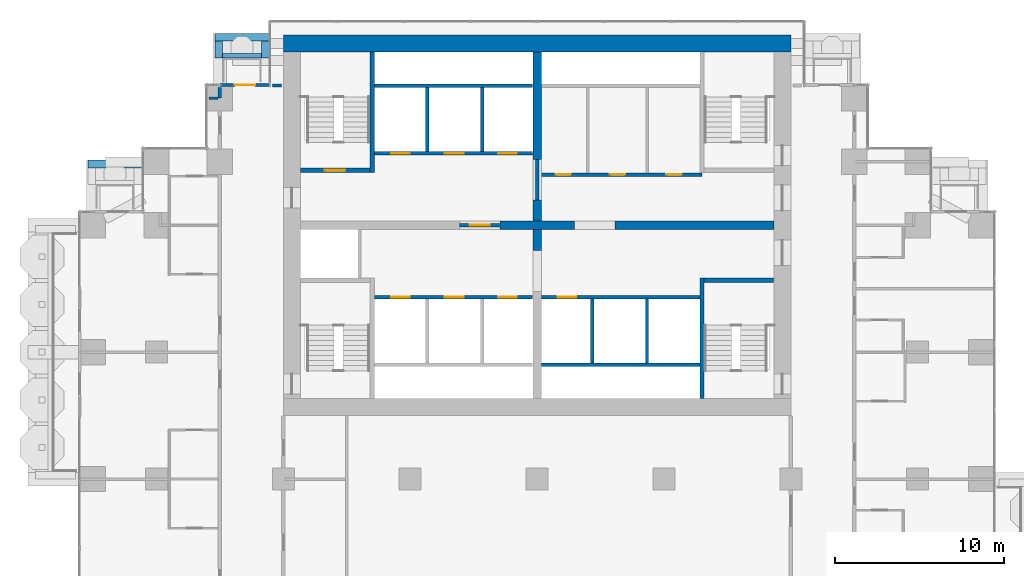
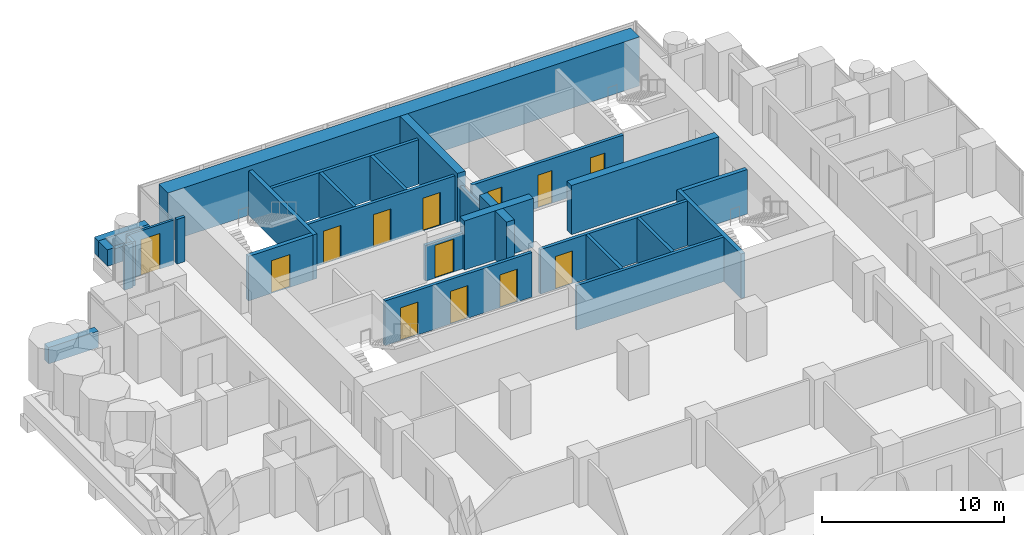
# One storey, part 13 of 18: 31 walls, 13 doors, 13 openings.
"""IFC4 building model written with IfcOpenShell, lengths in metres."""

from ifc_helpers import new_model, si_unit, direction, frame, frame_2d, origin, place, context, subcontext, project, spatial, rectangle, extrude, material, layer, layer_set, type_object, element, fill, save


model = new_model("IFC4")

# Units and contexts
model_context = context("Model", 3, precision=1e-05, world=origin(), true_north=direction((0.0, 1.0)))
body_context = subcontext(model_context, "Body", "Model", "MODEL_VIEW")
ifc_project = project(units=[si_unit("LENGTHUNIT", "METRE"), si_unit("AREAUNIT", "SQUARE_METRE"), si_unit("VOLUMEUNIT", "CUBIC_METRE"), si_unit("PLANEANGLEUNIT", "RADIAN"), si_unit("MASSUNIT", "GRAM", prefix="KILO")], contexts=[model_context])

# Site, building, storey
site_placement = place(None, origin())
site = spatial("IfcSite", under=ifc_project, at=site_placement, CompositionType="ELEMENT")
building_placement = place(site_placement, origin())
building = spatial("IfcBuilding", under=site, at=building_placement, Name="Pilkhan Gate Tower", CompositionType="ELEMENT")
storey_placement = place(building_placement, frame((0.0, 0.0, 56.0)))
storey = spatial("IfcBuildingStorey", under=building, at=storey_placement, Name="L11", CompositionType="ELEMENT", Elevation=56.0)

# Walls
ifc_material_1 = material(Name="Concrete C40/50", Category="concrete")
ifc_layer_1 = layer(ifc_material_1, 0.25)
ifc_layer_set_1 = layer_set([ifc_layer_1], Name="Balcony planter BP250")
wall_type_1 = type_object("IfcWallType", Name="Balcony planter BP250", PredefinedType="USERDEFINED", material=ifc_layer_set_1)
wall_1_placement = place(storey_placement, frame((56.39990234375, 92.52490234375, 0.0), z_axis=(0.0, 0.0, 1.0), x_axis=(1.0, 0.0, 0.0)))
element("IfcWall", 1, at=wall_1_placement, inside=storey, type_object=wall_type_1, Name="Balcony planter L11 N", ObjectType="BALCONY PLANTER", PredefinedType="USERDEFINED", context=body_context, shape_type="SweptSolid", body=[
    extrude(rectangle(XDim=2.300048828125, YDim=0.25, at=frame_2d((1.14990234375, 0.0))), origin(), (0.0, 0.0, 1.0), 1.0),
])
ifc_material_2 = material(Name="Board-marked Concrete C40/50", Category="concrete")
ifc_layer_2 = layer(ifc_material_2, 0.449951171875)
ifc_layer_set_2 = layer_set([ifc_layer_2], Name="Balcony planter lip BL450")
wall_type_2 = type_object("IfcWallType", Name="Balcony planter lip BL450", PredefinedType="USERDEFINED", material=ifc_layer_set_2)
wall_2_placement = place(storey_placement, frame((55.949951171875, 93.625, 0.0), z_axis=(0.0, 0.0, 1.0), x_axis=(1.0, 0.0, 0.0)))
element("IfcWall", 2, at=wall_2_placement, inside=storey, type_object=wall_type_2, Name="Balcony planter L11 N", ObjectType="BALCONY PLANTER", PredefinedType="USERDEFINED", context=body_context, shape_type="SweptSolid", body=[
    extrude(rectangle(XDim=3.199951171875, YDim=0.449951171875, at=frame_2d((1.60009765625, 0.0))), origin(), (0.0, 0.0, 1.0), 1.10009765625),
])
for number, where, z_axis, x_axis, name in (
    (3, (56.175048828125, 92.39990234375, 0.0), (0.0, 0.0, 1.0), (0.0, 1.0, 0.0), "Balcony planter L11 N"),
    (4, (58.925048828125, 92.39990234375, 0.0), (0.0, 0.0, 1.0), (0.0, 1.0, 0.0), "Balcony planter L11 N"),
):
    element("IfcWall", number, at=place(storey_placement, frame(where, z_axis=z_axis, x_axis=x_axis)), inside=storey, type_object=wall_type_2, Name=name, ObjectType="BALCONY PLANTER", PredefinedType="USERDEFINED", context=body_context, shape_type="SweptSolid", body=[
        extrude(rectangle(XDim=1.0, YDim=0.449951171875, at=frame_2d((0.5, 0.0))), origin(), (0.0, 0.0, 1.0), 1.10009765625),
    ])
wall_3_placement = place(storey_placement, frame((48.449951171875, 86.125, 0.0), z_axis=(0.0, 0.0, 1.0), x_axis=(1.0, 0.0, 0.0)))
element("IfcWall", 5, at=wall_3_placement, inside=storey, type_object=wall_type_2, Name="Balcony planter L11 N", ObjectType="BALCONY PLANTER", PredefinedType="USERDEFINED", context=body_context, shape_type="SweptSolid", body=[
    extrude(rectangle(XDim=3.179931640625, YDim=0.449951171875, at=frame_2d((1.58984375, 0.0))), origin(), (0.0, 0.0, 1.0), 1.10009765625),
])
ifc_material_3 = material(Name="Concrete C70/85", Category="concrete")
ifc_layer_3 = layer(ifc_material_3, 1.0)
ifc_layer_set_3 = layer_set([ifc_layer_3], Name="Core wall CW1000 C70/85")
wall_type_3 = type_object("IfcWallType", Name="Core wall CW1000 C70/85", PredefinedType="SHEAR", material=ifc_layer_set_3)
wall_4_placement = place(storey_placement, frame((90.0, 93.25, 0.0), z_axis=(0.0, 0.0, 1.0), x_axis=(-1.0, 0.0, 0.0)))
element("IfcWall", 6, at=wall_4_placement, inside=storey, type_object=wall_type_3, Name="Core wall N L11", PredefinedType="SHEAR", context=body_context, shape_type="SweptSolid", body=[
    extrude(rectangle(XDim=30.0, YDim=1.0, at=frame_2d((15.0, 0.0))), origin(), (0.0, 0.0, 1.0), 3.300048828125),
])
ifc_material_4 = material(Name="Dense blockwork", Category="masonry")
ifc_layer_4 = layer(ifc_material_4, 0.199951171875)
ifc_layer_set_4 = layer_set([ifc_layer_4], Name="Corridor wall FW200")
wall_type_4 = type_object("IfcWallType", Name="Corridor wall FW200", PredefinedType="PARTITIONING", material=ifc_layer_set_4)
wall_5_placement = place(storey_placement, frame((59.35498046875, 90.764892578125, 0.0), z_axis=(0.0, 0.0, 1.0), x_axis=(1.0, 0.0, 0.0)))
element("IfcWall", 7, at=wall_5_placement, inside=storey, type_object=wall_type_4, Name="Partition L11", PredefinedType="PARTITIONING", context=body_context, shape_type="SweptSolid", body=[
    extrude(rectangle(XDim=0.52490234375, YDim=0.199951171875, at=frame_2d((0.262451171875, 0.0))), origin(), (0.0, 0.0, 1.0), 3.0),
])
wall_6_placement = place(storey_placement, frame((56.25, 90.030029296875, 0.0), z_axis=(0.0, 0.0, 1.0), x_axis=(0.0, 1.0, 0.0)))
element("IfcWall", 8, at=wall_6_placement, inside=storey, type_object=wall_type_4, Name="Partition L11", PredefinedType="PARTITIONING", context=body_context, shape_type="SweptSolid", body=[
    extrude(rectangle(XDim=0.614990234375, YDim=0.199951171875, at=frame_2d((0.3076171875, 0.0))), origin(), (0.0, 0.0, 1.0), 3.0),
])

# Wall, opening, door
ifc_material_5 = material(Name="Pale anodised aluminium, clear laminated glazing", Category="aluminium")
ifc_layer_5 = layer(ifc_material_5, 0.14990234375)
ifc_layer_set_5 = layer_set([ifc_layer_5], Name="Facade infill wall IW150")
wall_type_5 = type_object("IfcWallType", Name="Facade infill wall IW150", PredefinedType="SOLIDWALL", material=ifc_layer_set_5)
wall_7_placement = place(storey_placement, frame((56.25, 90.794921875, 0.0), z_axis=(0.0, 0.0, 1.0), x_axis=(1.0, 0.0, 0.0)))
wall_7 = element("IfcWall", 9, at=wall_7_placement, inside=storey, type_object=wall_type_5, Name="Infill wall L11 N", PredefinedType="SOLIDWALL", context=body_context, shape_type="SweptSolid", body=[
    extrude(rectangle(XDim=2.955078125, YDim=0.14990234375, at=frame_2d((1.4775390625, 0.0))), origin(), (0.0, 0.0, 1.0), 3.0),
])
opening_1_placement = place(wall_7_placement, frame((0.87744140625, 0.0, 0.0)))
opening_1 = element("IfcOpeningElement", 10, at=opening_1_placement, cuts=wall_7, Name="Opening D1", PredefinedType="OPENING", context=body_context, shape_type="SweptSolid", body=[
    extrude(rectangle(XDim=1.199951171875, YDim=2.39990234375, at=frame_2d((0.60009765625, 1.199951171875))), frame((0.0, 0.0849609375, 0.0), z_axis=(0.0, -1.0, 0.0), x_axis=(1.0, 0.0, 0.0)), (0.0, 0.0, 1.0), 0.169921875),
])
ifc_material_6 = material(Name="Pale anodised aluminium, clear glazing", Category="aluminium")
door_type_1 = type_object("IfcDoorType", Name="Balcony door D1 1200x2400", OperationType="SINGLE_SWING_LEFT", PredefinedType="DOOR", material=ifc_material_6)
door_1_placement = place(opening_1_placement, origin())
door_1 = element("IfcDoor", 11, at=door_1_placement, inside=storey, type_object=door_type_1, Name="Balcony door L11", OperationType="SINGLE_SWING_LEFT", OverallHeight=2.39990234375, OverallWidth=1.199951171875, PredefinedType="DOOR", context=body_context, shape_type="SweptSolid", body=[
    extrude(rectangle(XDim=1.199951171875, YDim=2.39990234375, at=frame_2d((0.60009765625, 1.199951171875))), frame((0.0, 0.02490234375, 0.0), z_axis=(0.0, -1.0, 0.0), x_axis=(1.0, 0.0, 0.0)), (0.0, 0.0, 1.0), 0.050048828125),
])
fill(opening_1, door_1)

ifc_layer_6 = layer(ifc_material_4, 0.199951171875)
ifc_layer_set_6 = layer_set([ifc_layer_6], Name="Lobby wall LW200")
wall_type_6 = type_object("IfcWallType", Name="Lobby wall LW200", PredefinedType="PARTITIONING", material=ifc_layer_set_6)
wall_8_placement = place(storey_placement, frame((70.409912109375, 82.5, 0.0), z_axis=(0.0, 0.0, 1.0), x_axis=(1.0, 0.0, 0.0)))
wall_8 = element("IfcWall", 12, at=wall_8_placement, inside=storey, type_object=wall_type_6, Name="Partition L11", PredefinedType="PARTITIONING", context=body_context, shape_type="SweptSolid", body=[
    extrude(rectangle(XDim=2.380126953125, YDim=0.199951171875, at=frame_2d((1.18994140625, 0.0))), origin(), (0.0, 0.0, 1.0), 2.39990234375),
])
opening_2_placement = place(wall_8_placement, frame((0.60009765625, 0.0, 0.0)))
opening_2 = element("IfcOpeningElement", 13, at=opening_2_placement, cuts=wall_8, Name="Opening L11-01", PredefinedType="OPENING", context=body_context, shape_type="SweptSolid", body=[
    extrude(rectangle(XDim=1.199951171875, YDim=2.199951171875, at=frame_2d((0.60009765625, 1.10009765625))), frame((0.0, 0.10986328125, 0.0), z_axis=(0.0, -1.0, 0.0), x_axis=(1.0, 0.0, 0.0)), (0.0, 0.0, 1.0), 0.219970703125),
])
ifc_material_7 = material(Name="Steel door, 120 minute fire resisting, self-closing", Category="steel")
door_type_2 = type_object("IfcDoorType", Name="Firefighting lobby door D10 1200x2200", OperationType="SINGLE_SWING_LEFT", PredefinedType="DOOR", material=ifc_material_7)
door_2_placement = place(opening_2_placement, origin())
door_2 = element("IfcDoor", 14, at=door_2_placement, inside=storey, type_object=door_type_2, Name="Firefighting lobby door", OperationType="SINGLE_SWING_RIGHT", OverallHeight=2.199951171875, OverallWidth=1.199951171875, PredefinedType="DOOR", context=body_context, shape_type="SweptSolid", body=[
    extrude(rectangle(XDim=1.199951171875, YDim=2.199951171875, at=frame_2d((0.60009765625, 1.10009765625))), frame((0.0, 0.02490234375, 0.0), z_axis=(0.0, -1.0, 0.0), x_axis=(1.0, 0.0, 0.0)), (0.0, 0.0, 1.0), 0.050048828125),
])
fill(opening_2, door_2)

# Wall, openings, doors
wall_9_placement = place(storey_placement, frame((75.10009765625, 85.5, 0.0), z_axis=(0.0, 0.0, 1.0), x_axis=(1.0, 0.0, 0.0)))
wall_9 = element("IfcWall", 15, at=wall_9_placement, inside=storey, type_object=wall_type_6, Name="Partition L11", PredefinedType="PARTITIONING", context=body_context, shape_type="SweptSolid", body=[
    extrude(rectangle(XDim=9.64990234375, YDim=0.199951171875, at=frame_2d((4.824951171875, 0.0))), origin(), (0.0, 0.0, 1.0), 3.0),
])
opening_3_placement = place(wall_9_placement, frame((1.0, 0.0, 0.0)))
opening_3 = element("IfcOpeningElement", 16, at=opening_3_placement, cuts=wall_9, Name="Opening L11-41", PredefinedType="OPENING", context=body_context, shape_type="SweptSolid", body=[
    extrude(rectangle(XDim=0.89990234375, YDim=2.199951171875, at=frame_2d((0.449951171875, 1.10009765625))), frame((0.0, 0.10986328125, 0.0), z_axis=(0.0, -1.0, 0.0), x_axis=(1.0, 0.0, 0.0)), (0.0, 0.0, 1.0), 0.219970703125),
])
opening_4_placement = place(wall_9_placement, frame((4.199951171875, 0.0, 0.0)))
opening_4 = element("IfcOpeningElement", 17, at=opening_4_placement, cuts=wall_9, Name="Opening L11-42", PredefinedType="OPENING", context=body_context, shape_type="SweptSolid", body=[
    extrude(rectangle(XDim=0.89990234375, YDim=2.199951171875, at=frame_2d((0.449951171875, 1.10009765625))), frame((0.0, 0.10986328125, 0.0), z_axis=(0.0, -1.0, 0.0), x_axis=(1.0, 0.0, 0.0)), (0.0, 0.0, 1.0), 0.219970703125),
])
opening_5_placement = place(wall_9_placement, frame((7.550048828125, 0.0, 0.0)))
opening_5 = element("IfcOpeningElement", 18, at=opening_5_placement, cuts=wall_9, Name="Opening L11-43", PredefinedType="OPENING", context=body_context, shape_type="SweptSolid", body=[
    extrude(rectangle(XDim=0.89990234375, YDim=2.199951171875, at=frame_2d((0.449951171875, 1.10009765625))), frame((0.0, 0.10986328125, 0.0), z_axis=(0.0, -1.0, 0.0), x_axis=(1.0, 0.0, 0.0)), (0.0, 0.0, 1.0), 0.219970703125),
])
ifc_material_8 = material(Name="Timber flush door, 60 minute fire resisting, self-closing", Category="wood")
door_type_3 = type_object("IfcDoorType", Name="Store door D05 900x2200", OperationType="SINGLE_SWING_LEFT", PredefinedType="DOOR", material=ifc_material_8)
door_3_placement = place(opening_4_placement, origin())
door_3 = element("IfcDoor", 19, at=door_3_placement, inside=storey, type_object=door_type_3, Name="Store door", OperationType="SINGLE_SWING_LEFT", OverallHeight=2.199951171875, OverallWidth=0.89990234375, PredefinedType="DOOR", context=body_context, shape_type="SweptSolid", body=[
    extrude(rectangle(XDim=0.89990234375, YDim=2.199951171875, at=frame_2d((0.449951171875, 1.10009765625))), frame((0.0, 0.02490234375, 0.0), z_axis=(0.0, -1.0, 0.0), x_axis=(1.0, 0.0, 0.0)), (0.0, 0.0, 1.0), 0.050048828125),
])
fill(opening_4, door_3)
door_4_placement = place(opening_5_placement, origin())
door_4 = element("IfcDoor", 20, at=door_4_placement, inside=storey, type_object=door_type_3, Name="Store door", OperationType="SINGLE_SWING_RIGHT", OverallHeight=2.199951171875, OverallWidth=0.89990234375, PredefinedType="DOOR", context=body_context, shape_type="SweptSolid", body=[
    extrude(rectangle(XDim=0.89990234375, YDim=2.199951171875, at=frame_2d((0.449951171875, 1.10009765625))), frame((0.0, 0.02490234375, 0.0), z_axis=(0.0, -1.0, 0.0), x_axis=(1.0, 0.0, 0.0)), (0.0, 0.0, 1.0), 0.050048828125),
])
fill(opening_5, door_4)
ifc_material_9 = material(Name="Timber flush door, 30 minute fire resisting", Category="wood")
door_type_4 = type_object("IfcDoorType", Name="Toilet door D06 900x2200", OperationType="SINGLE_SWING_LEFT", PredefinedType="DOOR", material=ifc_material_9)
door_5_placement = place(opening_3_placement, origin())
door_5 = element("IfcDoor", 21, at=door_5_placement, inside=storey, type_object=door_type_4, Name="Toilet door", OperationType="SINGLE_SWING_LEFT", OverallHeight=2.199951171875, OverallWidth=0.89990234375, PredefinedType="DOOR", context=body_context, shape_type="SweptSolid", body=[
    extrude(rectangle(XDim=0.89990234375, YDim=2.199951171875, at=frame_2d((0.449951171875, 1.10009765625))), frame((0.0, 0.02490234375, 0.0), z_axis=(0.0, -1.0, 0.0), x_axis=(1.0, 0.0, 0.0)), (0.0, 0.0, 1.0), 0.050048828125),
])
fill(opening_3, door_5)

# Walls
wall_10_placement = place(storey_placement, frame((75.0, 84.010009765625, 0.0), z_axis=(0.0, 0.0, 1.0), x_axis=(0.0, 1.0, 0.0)))
element("IfcWall", 22, at=wall_10_placement, inside=storey, type_object=wall_type_6, Name="Partition L11", PredefinedType="PARTITIONING", context=body_context, shape_type="SweptSolid", body=[
    extrude(rectangle(XDim=2.3798828125, YDim=0.199951171875, at=frame_2d((1.18994140625, 0.0))), origin(), (0.0, 0.0, 1.0), 2.39990234375),
])
ifc_material_10 = material(Name="Blockwork partition, plastered both sides", Category="masonry")
ifc_layer_7 = layer(ifc_material_10, 0.14990234375)
ifc_layer_set_7 = layer_set([ifc_layer_7], Name="Partition PW150")
wall_type_7 = type_object("IfcWallType", Name="Partition PW150", PredefinedType="PARTITIONING", material=ifc_layer_set_7)
wall_11_placement = place(storey_placement, frame((55.60498046875, 90.0, 0.0), z_axis=(0.0, 0.0, 1.0), x_axis=(1.0, 0.0, 0.0)))
element("IfcWall", 23, at=wall_11_placement, inside=storey, type_object=wall_type_7, Name="Partition L11", PredefinedType="PARTITIONING", context=body_context, shape_type="SweptSolid", body=[
    extrude(rectangle(XDim=0.544921875, YDim=0.14990234375, at=frame_2d((0.2724609375, 0.0))), origin(), (0.0, 0.0, 1.0), 3.0),
])
ifc_material_11 = material(Name="Reinforced blockwork shaft wall, 120 minute fire resisting", Category="masonry")
ifc_layer_8 = layer(ifc_material_11, 0.199951171875)
ifc_layer_set_8 = layer_set([ifc_layer_8], Name="Shaft wall SW200")
wall_type_8 = type_object("IfcWallType", Name="Shaft wall SW200", PredefinedType="PARTITIONING", material=ifc_layer_set_8)
wall_12_placement = place(storey_placement, frame((75.260009765625, 74.25, 0.0), z_axis=(0.0, 0.0, 1.0), x_axis=(1.0, 0.0, 0.0)))
element("IfcWall", 24, at=wall_12_placement, inside=storey, type_object=wall_type_8, Name="Partition L11", PredefinedType="PARTITIONING", context=body_context, shape_type="SweptSolid", body=[
    extrude(rectangle(XDim=9.364990234375, YDim=0.199951171875, at=frame_2d((4.6826171875, 0.0))), origin(), (0.0, 0.0, 1.0), 3.0),
])

# Wall, openings, doors
wall_13_placement = place(storey_placement, frame((65.375, 78.25, 0.0), z_axis=(0.0, 0.0, 1.0), x_axis=(1.0, 0.0, 0.0)))
wall_13 = element("IfcWall", 25, at=wall_13_placement, inside=storey, type_object=wall_type_8, Name="Partition L11", PredefinedType="PARTITIONING", context=body_context, shape_type="SweptSolid", body=[
    extrude(rectangle(XDim=9.364990234375, YDim=0.199951171875, at=frame_2d((4.6826171875, 0.0))), origin(), (0.0, 0.0, 1.0), 3.0),
])
opening_6_placement = place(wall_13_placement, frame((1.0, 0.0, 0.0)))
opening_6 = element("IfcOpeningElement", 26, at=opening_6_placement, cuts=wall_13, Name="Opening LD", PredefinedType="OPENING", context=body_context, shape_type="SweptSolid", body=[
    extrude(rectangle(XDim=1.10009765625, YDim=2.199951171875, at=frame_2d((0.550048828125, 1.10009765625))), frame((0.0, 0.10986328125, 0.0), z_axis=(0.0, -1.0, 0.0), x_axis=(1.0, 0.0, 0.0)), (0.0, 0.0, 1.0), 0.219970703125),
])
opening_7_placement = place(wall_13_placement, frame((4.175048828125, 0.0, 0.0)))
opening_7 = element("IfcOpeningElement", 27, at=opening_7_placement, cuts=wall_13, Name="Opening LD", PredefinedType="OPENING", context=body_context, shape_type="SweptSolid", body=[
    extrude(rectangle(XDim=1.10009765625, YDim=2.199951171875, at=frame_2d((0.550048828125, 1.10009765625))), frame((0.0, 0.10986328125, 0.0), z_axis=(0.0, -1.0, 0.0), x_axis=(1.0, 0.0, 0.0)), (0.0, 0.0, 1.0), 0.219970703125),
])
opening_8_placement = place(wall_13_placement, frame((7.324951171875, 0.0, 0.0)))
opening_8 = element("IfcOpeningElement", 28, at=opening_8_placement, cuts=wall_13, Name="Opening LD", PredefinedType="OPENING", context=body_context, shape_type="SweptSolid", body=[
    extrude(rectangle(XDim=1.10009765625, YDim=2.199951171875, at=frame_2d((0.550048828125, 1.10009765625))), frame((0.0, 0.10986328125, 0.0), z_axis=(0.0, -1.0, 0.0), x_axis=(1.0, 0.0, 0.0)), (0.0, 0.0, 1.0), 0.219970703125),
])
ifc_material_12 = material(Name="Stainless steel centre-opening landing door, 120 minute fire resisting", Category="steel")
door_type_5 = type_object("IfcDoorType", Name="Lift landing door LD 1100x2200", OperationType="DOUBLE_DOOR_SLIDING", PredefinedType="DOOR", material=ifc_material_12)
door_6_placement = place(opening_6_placement, origin())
door_6 = element("IfcDoor", 29, at=door_6_placement, inside=storey, type_object=door_type_5, Name="Landing door LR1", OperationType="DOUBLE_DOOR_SLIDING", OverallHeight=2.199951171875, OverallWidth=1.10009765625, PredefinedType="DOOR", context=body_context, shape_type="SweptSolid", body=[
    extrude(rectangle(XDim=1.10009765625, YDim=2.199951171875, at=frame_2d((0.550048828125, 1.10009765625))), frame((0.0, 0.02490234375, 0.0), z_axis=(0.0, -1.0, 0.0), x_axis=(1.0, 0.0, 0.0)), (0.0, 0.0, 1.0), 0.050048828125),
])
fill(opening_6, door_6)
door_7_placement = place(opening_7_placement, origin())
door_7 = element("IfcDoor", 30, at=door_7_placement, inside=storey, type_object=door_type_5, Name="Landing door LR2", OperationType="DOUBLE_DOOR_SLIDING", OverallHeight=2.199951171875, OverallWidth=1.10009765625, PredefinedType="DOOR", context=body_context, shape_type="SweptSolid", body=[
    extrude(rectangle(XDim=1.10009765625, YDim=2.199951171875, at=frame_2d((0.550048828125, 1.10009765625))), frame((0.0, 0.02490234375, 0.0), z_axis=(0.0, -1.0, 0.0), x_axis=(1.0, 0.0, 0.0)), (0.0, 0.0, 1.0), 0.050048828125),
])
fill(opening_7, door_7)
door_8_placement = place(opening_8_placement, origin())
door_8 = element("IfcDoor", 31, at=door_8_placement, inside=storey, type_object=door_type_5, Name="Landing door LR3", OperationType="DOUBLE_DOOR_SLIDING", OverallHeight=2.199951171875, OverallWidth=1.10009765625, PredefinedType="DOOR", context=body_context, shape_type="SweptSolid", body=[
    extrude(rectangle(XDim=1.10009765625, YDim=2.199951171875, at=frame_2d((0.550048828125, 1.10009765625))), frame((0.0, 0.02490234375, 0.0), z_axis=(0.0, -1.0, 0.0), x_axis=(1.0, 0.0, 0.0)), (0.0, 0.0, 1.0), 0.050048828125),
])
fill(opening_8, door_8)

# Wall, opening, door
wall_14_placement = place(storey_placement, frame((75.260009765625, 78.25, 0.0), z_axis=(0.0, 0.0, 1.0), x_axis=(1.0, 0.0, 0.0)))
wall_14 = element("IfcWall", 32, at=wall_14_placement, inside=storey, type_object=wall_type_8, Name="Partition L11", PredefinedType="PARTITIONING", context=body_context, shape_type="SweptSolid", body=[
    extrude(rectangle(XDim=9.364990234375, YDim=0.199951171875, at=frame_2d((4.6826171875, 0.0))), origin(), (0.0, 0.0, 1.0), 3.0),
])
opening_9_placement = place(wall_14_placement, frame((0.949951171875, 0.0, 0.0)))
opening_9 = element("IfcOpeningElement", 33, at=opening_9_placement, cuts=wall_14, Name="Opening LD", PredefinedType="OPENING", context=body_context, shape_type="SweptSolid", body=[
    extrude(rectangle(XDim=1.10009765625, YDim=2.199951171875, at=frame_2d((0.550048828125, 1.10009765625))), frame((0.0, 0.10986328125, 0.0), z_axis=(0.0, -1.0, 0.0), x_axis=(1.0, 0.0, 0.0)), (0.0, 0.0, 1.0), 0.219970703125),
])
door_9_placement = place(opening_9_placement, origin())
door_9 = element("IfcDoor", 34, at=door_9_placement, inside=storey, type_object=door_type_5, Name="Landing door LR4", OperationType="DOUBLE_DOOR_SLIDING", OverallHeight=2.199951171875, OverallWidth=1.10009765625, PredefinedType="DOOR", context=body_context, shape_type="SweptSolid", body=[
    extrude(rectangle(XDim=1.10009765625, YDim=2.199951171875, at=frame_2d((0.550048828125, 1.10009765625))), frame((0.0, 0.02490234375, 0.0), z_axis=(0.0, -1.0, 0.0), x_axis=(1.0, 0.0, 0.0)), (0.0, 0.0, 1.0), 0.050048828125),
])
fill(opening_9, door_9)

# Wall, openings, doors
wall_15_placement = place(storey_placement, frame((65.375, 86.75, 0.0), z_axis=(0.0, 0.0, 1.0), x_axis=(1.0, 0.0, 0.0)))
wall_15 = element("IfcWall", 35, at=wall_15_placement, inside=storey, type_object=wall_type_8, Name="Partition L11", PredefinedType="PARTITIONING", context=body_context, shape_type="SweptSolid", body=[
    extrude(rectangle(XDim=9.364990234375, YDim=0.199951171875, at=frame_2d((4.6826171875, 0.0))), origin(), (0.0, 0.0, 1.0), 3.0),
])
opening_10_placement = place(wall_15_placement, frame((1.0, 0.0, 0.0)))
opening_10 = element("IfcOpeningElement", 36, at=opening_10_placement, cuts=wall_15, Name="Opening LD", PredefinedType="OPENING", context=body_context, shape_type="SweptSolid", body=[
    extrude(rectangle(XDim=1.10009765625, YDim=2.199951171875, at=frame_2d((0.550048828125, 1.10009765625))), frame((0.0, 0.10986328125, 0.0), z_axis=(0.0, -1.0, 0.0), x_axis=(1.0, 0.0, 0.0)), (0.0, 0.0, 1.0), 0.219970703125),
])
opening_11_placement = place(wall_15_placement, frame((4.175048828125, 0.0, 0.0)))
opening_11 = element("IfcOpeningElement", 37, at=opening_11_placement, cuts=wall_15, Name="Opening LD", PredefinedType="OPENING", context=body_context, shape_type="SweptSolid", body=[
    extrude(rectangle(XDim=1.10009765625, YDim=2.199951171875, at=frame_2d((0.550048828125, 1.10009765625))), frame((0.0, 0.10986328125, 0.0), z_axis=(0.0, -1.0, 0.0), x_axis=(1.0, 0.0, 0.0)), (0.0, 0.0, 1.0), 0.219970703125),
])
opening_12_placement = place(wall_15_placement, frame((7.324951171875, 0.0, 0.0)))
opening_12 = element("IfcOpeningElement", 38, at=opening_12_placement, cuts=wall_15, Name="Opening LD", PredefinedType="OPENING", context=body_context, shape_type="SweptSolid", body=[
    extrude(rectangle(XDim=1.10009765625, YDim=2.199951171875, at=frame_2d((0.550048828125, 1.10009765625))), frame((0.0, 0.10986328125, 0.0), z_axis=(0.0, -1.0, 0.0), x_axis=(1.0, 0.0, 0.0)), (0.0, 0.0, 1.0), 0.219970703125),
])
door_10_placement = place(opening_10_placement, origin())
door_10 = element("IfcDoor", 39, at=door_10_placement, inside=storey, type_object=door_type_5, Name="Landing door FF1", OperationType="DOUBLE_DOOR_SLIDING", OverallHeight=2.199951171875, OverallWidth=1.10009765625, PredefinedType="DOOR", context=body_context, shape_type="SweptSolid", body=[
    extrude(rectangle(XDim=1.10009765625, YDim=2.199951171875, at=frame_2d((0.550048828125, 1.10009765625))), frame((0.0, 0.02490234375, 0.0), z_axis=(0.0, -1.0, 0.0), x_axis=(1.0, 0.0, 0.0)), (0.0, 0.0, 1.0), 0.050048828125),
])
fill(opening_10, door_10)
door_11_placement = place(opening_11_placement, origin())
door_11 = element("IfcDoor", 40, at=door_11_placement, inside=storey, type_object=door_type_5, Name="Landing door FF2", OperationType="DOUBLE_DOOR_SLIDING", OverallHeight=2.199951171875, OverallWidth=1.10009765625, PredefinedType="DOOR", context=body_context, shape_type="SweptSolid", body=[
    extrude(rectangle(XDim=1.10009765625, YDim=2.199951171875, at=frame_2d((0.550048828125, 1.10009765625))), frame((0.0, 0.02490234375, 0.0), z_axis=(0.0, -1.0, 0.0), x_axis=(1.0, 0.0, 0.0)), (0.0, 0.0, 1.0), 0.050048828125),
])
fill(opening_11, door_11)
door_12_placement = place(opening_12_placement, origin())
door_12 = element("IfcDoor", 41, at=door_12_placement, inside=storey, type_object=door_type_5, Name="Landing door SV1", OperationType="DOUBLE_DOOR_SLIDING", OverallHeight=2.199951171875, OverallWidth=1.10009765625, PredefinedType="DOOR", context=body_context, shape_type="SweptSolid", body=[
    extrude(rectangle(XDim=1.10009765625, YDim=2.199951171875, at=frame_2d((0.550048828125, 1.10009765625))), frame((0.0, 0.02490234375, 0.0), z_axis=(0.0, -1.0, 0.0), x_axis=(1.0, 0.0, 0.0)), (0.0, 0.0, 1.0), 0.050048828125),
])
fill(opening_12, door_12)

# Walls
wall_16_placement = place(storey_placement, frame((65.375, 90.75, 0.0), z_axis=(0.0, 0.0, 1.0), x_axis=(1.0, 0.0, 0.0)))
element("IfcWall", 42, at=wall_16_placement, inside=storey, type_object=wall_type_8, Name="Partition L11", PredefinedType="PARTITIONING", context=body_context, shape_type="SweptSolid", body=[
    extrude(rectangle(XDim=9.364990234375, YDim=0.199951171875, at=frame_2d((4.6826171875, 0.0))), origin(), (0.0, 0.0, 1.0), 3.0),
])
for number, where, z_axis, x_axis, name in (
    (43, (68.5, 86.85009765625, 0.0), (0.0, 0.0, 1.0), (0.0, 1.0, 0.0), "Partition L11"),
    (44, (71.75, 86.85009765625, 0.0), (0.0, 0.0, 1.0), (0.0, 1.0, 0.0), "Partition L11"),
    (45, (78.25, 74.35009765625, 0.0), (0.0, 0.0, 1.0), (0.0, 1.0, 0.0), "Partition L11"),
    (46, (81.5, 74.35009765625, 0.0), (0.0, 0.0, 1.0), (0.0, 1.0, 0.0), "Partition L11"),
):
    element("IfcWall", number, at=place(storey_placement, frame(where, z_axis=z_axis, x_axis=x_axis)), inside=storey, type_object=wall_type_8, Name=name, PredefinedType="PARTITIONING", context=body_context, shape_type="SweptSolid", body=[
        extrude(rectangle(XDim=3.7998046875, YDim=0.199951171875, at=frame_2d((1.89990234375, 0.0))), origin(), (0.0, 0.0, 1.0), 3.0),
    ])
ifc_layer_9 = layer(ifc_material_3, 0.5)
ifc_layer_set_9 = layer_set([ifc_layer_9], Name="Spine wall SW500 C70/85")
wall_type_9 = type_object("IfcWallType", Name="Spine wall SW500 C70/85", PredefinedType="SHEAR", material=ifc_layer_set_9)
wall_17_placement = place(storey_placement, frame((72.800048828125, 82.5, 0.0), z_axis=(0.0, 0.0, 1.0), x_axis=(1.0, 0.0, 0.0)))
element("IfcWall", 47, at=wall_17_placement, inside=storey, type_object=wall_type_9, Name="Spine wall SP-EW2 L11", PredefinedType="SHEAR", context=body_context, shape_type="SweptSolid", body=[
    extrude(rectangle(XDim=4.39990234375, YDim=0.5, at=frame_2d((2.199951171875, 0.0))), origin(), (0.0, 0.0, 1.0), 3.300048828125),
])
wall_18_placement = place(storey_placement, frame((79.60009765625, 82.5, 0.0), z_axis=(0.0, 0.0, 1.0), x_axis=(1.0, 0.0, 0.0)))
element("IfcWall", 48, at=wall_18_placement, inside=storey, type_object=wall_type_9, Name="Spine wall SP-EW3 L11", PredefinedType="SHEAR", context=body_context, shape_type="SweptSolid", body=[
    extrude(rectangle(XDim=9.39990234375, YDim=0.5, at=frame_2d((4.699951171875, 0.0))), origin(), (0.0, 0.0, 1.0), 3.300048828125),
])
for number, where, z_axis, x_axis, name in (
    (49, (75.0, 81.0, 0.0), (0.0, 0.0, 1.0), (0.0, 1.0, 0.0), "Spine wall SP-NS-S2 L11"),
    (50, (75.0, 82.75, 0.0), (0.0, 0.0, 1.0), (0.0, 1.0, 0.0), "Spine wall SP-NS-N1 L11"),
):
    element("IfcWall", number, at=place(storey_placement, frame(where, z_axis=z_axis, x_axis=x_axis)), inside=storey, type_object=wall_type_9, Name=name, PredefinedType="SHEAR", context=body_context, shape_type="SweptSolid", body=[
        extrude(rectangle(XDim=1.25, YDim=0.5, at=frame_2d((0.625, 0.0))), origin(), (0.0, 0.0, 1.0), 3.300048828125),
    ])
wall_19_placement = place(storey_placement, frame((75.0, 86.39990234375, 0.0), z_axis=(0.0, 0.0, 1.0), x_axis=(0.0, 1.0, 0.0)))
element("IfcWall", 51, at=wall_19_placement, inside=storey, type_object=wall_type_9, Name="Spine wall SP-NS-N2 L11", PredefinedType="SHEAR", context=body_context, shape_type="SweptSolid", body=[
    extrude(rectangle(XDim=6.35009765625, YDim=0.5, at=frame_2d((3.175048828125, 0.0))), origin(), (0.0, 0.0, 1.0), 3.300048828125),
])
ifc_material_13 = material(Name="Reinforced blockwork, 120 minute fire resisting", Category="masonry")
ifc_layer_10 = layer(ifc_material_13, 0.25)
ifc_layer_set_10 = layer_set([ifc_layer_10], Name="Stair enclosure wall SE250")
wall_type_10 = type_object("IfcWallType", Name="Stair enclosure wall SE250", PredefinedType="PARTITIONING", material=ifc_layer_set_10)
wall_20_placement = place(storey_placement, frame((84.875, 79.25, 0.0), z_axis=(0.0, 0.0, 1.0), x_axis=(1.0, 0.0, 0.0)))
element("IfcWall", 52, at=wall_20_placement, inside=storey, type_object=wall_type_10, Name="Partition L11", PredefinedType="PARTITIONING", context=body_context, shape_type="SweptSolid", body=[
    extrude(rectangle(XDim=4.114990234375, YDim=0.25, at=frame_2d((2.0576171875, 0.0))), origin(), (0.0, 0.0, 1.0), 3.0),
])

# Wall, opening, door
wall_21_placement = place(storey_placement, frame((61.010009765625, 85.75, 0.0), z_axis=(0.0, 0.0, 1.0), x_axis=(1.0, 0.0, 0.0)))
wall_21 = element("IfcWall", 53, at=wall_21_placement, inside=storey, type_object=wall_type_10, Name="Partition L11", PredefinedType="PARTITIONING", context=body_context, shape_type="SweptSolid", body=[
    extrude(rectangle(XDim=4.114990234375, YDim=0.25, at=frame_2d((2.0576171875, 0.0))), origin(), (0.0, 0.0, 1.0), 3.0),
])
opening_13_placement = place(wall_21_placement, frame((1.449951171875, 0.0, 0.0)))
opening_13 = element("IfcOpeningElement", 54, at=opening_13_placement, cuts=wall_21, Name="Opening L11-02", PredefinedType="OPENING", context=body_context, shape_type="SweptSolid", body=[
    extrude(rectangle(XDim=1.199951171875, YDim=2.199951171875, at=frame_2d((0.60009765625, 1.10009765625))), frame((0.0, 0.135009765625, 0.0), z_axis=(0.0, -1.0, 0.0), x_axis=(1.0, 0.0, 0.0)), (0.0, 0.0, 1.0), 0.27001953125),
])
ifc_material_14 = material(Name="Steel door, 120 minute fire resisting, panic bar", Category="steel")
door_type_6 = type_object("IfcDoorType", Name="Stair door D11 1200x2200", OperationType="SINGLE_SWING_LEFT", PredefinedType="DOOR", material=ifc_material_14)
door_13_placement = place(opening_13_placement, origin())
door_13 = element("IfcDoor", 55, at=door_13_placement, inside=storey, type_object=door_type_6, Name="Stair ST3 lobby door", OperationType="SINGLE_SWING_RIGHT", OverallHeight=2.199951171875, OverallWidth=1.199951171875, PredefinedType="DOOR", context=body_context, shape_type="SweptSolid", body=[
    extrude(rectangle(XDim=1.199951171875, YDim=2.199951171875, at=frame_2d((0.60009765625, 1.10009765625))), frame((0.0, 0.02490234375, 0.0), z_axis=(0.0, -1.0, 0.0), x_axis=(1.0, 0.0, 0.0)), (0.0, 0.0, 1.0), 0.050048828125),
])
fill(opening_13, door_13)

# Walls
for number, where, z_axis, x_axis, name in (
    (56, (65.25, 85.625, 0.0), (0.0, 0.0, 1.0), (0.0, 1.0, 0.0), "Partition L11"),
    (57, (84.75, 72.260009765625, 0.0), (0.0, 0.0, 1.0), (0.0, 1.0, 0.0), "Partition L11"),
):
    element("IfcWall", number, at=place(storey_placement, frame(where, z_axis=z_axis, x_axis=x_axis)), inside=storey, type_object=wall_type_10, Name=name, PredefinedType="PARTITIONING", context=body_context, shape_type="SweptSolid", body=[
        extrude(rectangle(XDim=7.114990234375, YDim=0.25, at=frame_2d((3.5576171875, 0.0))), origin(), (0.0, 0.0, 1.0), 3.0),
    ])

save(model, "model.ifc")
